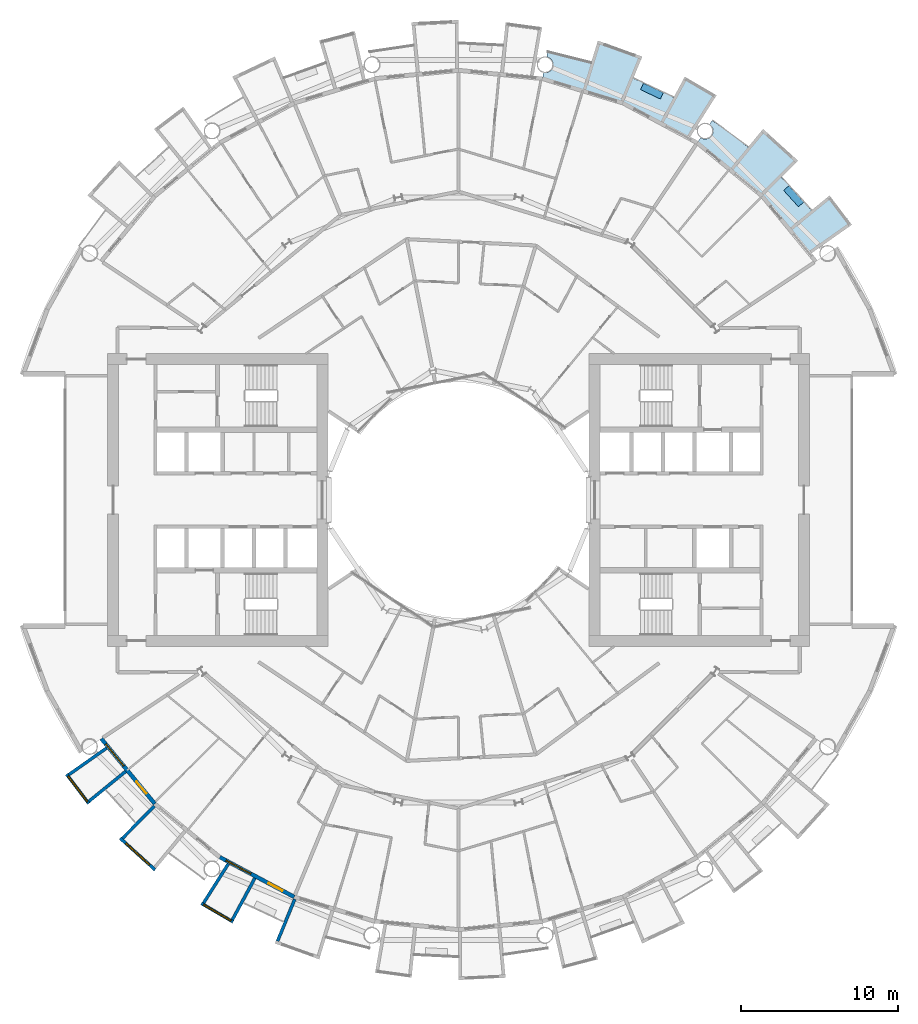
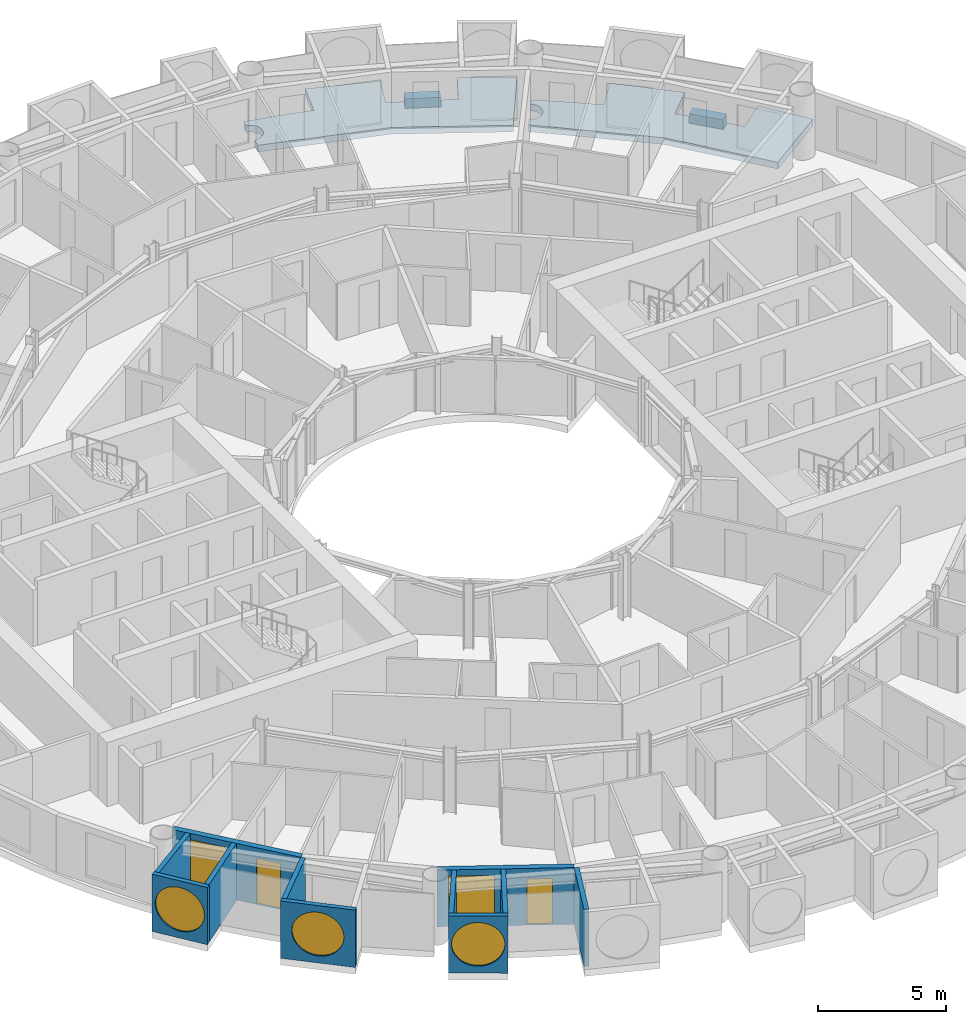
# One storey, part 12 of 26: 11 walls, 5 windows, 4 slabs, 2 doors, 7 openings.
"""IFC4 building model written with IfcOpenShell, lengths in metres."""

from ifc_helpers import new_model, si_unit, direction, frame, frame_2d, origin, place, context, subcontext, project, spatial, polyline, rectangle, circle, outline, extrude, material, layer, layer_set, type_object, element, fill, save


model = new_model("IFC4")

# Units and contexts
model_context = context("Model", 3, precision=1e-05, world=origin(), true_north=direction((0.0, 1.0)))
body_context = subcontext(model_context, "Body", "Model", "MODEL_VIEW")
ifc_project = project(units=[si_unit("LENGTHUNIT", "METRE"), si_unit("AREAUNIT", "SQUARE_METRE"), si_unit("VOLUMEUNIT", "CUBIC_METRE"), si_unit("PLANEANGLEUNIT", "RADIAN"), si_unit("MASSUNIT", "GRAM", prefix="KILO")], contexts=[model_context])

# Site, building, storey
site_placement = place(None, origin())
site = spatial("IfcSite", under=ifc_project, at=site_placement, CompositionType="ELEMENT")
building_placement = place(site_placement, origin())
building = spatial("IfcBuilding", under=site, at=building_placement, Name="Maasbend Ring Residences", CompositionType="ELEMENT")
storey_placement = place(building_placement, frame((0.0, 0.0, 91.050048828125)))
storey = spatial("IfcBuildingStorey", under=building, at=storey_placement, Name="L26", CompositionType="ELEMENT", Elevation=91.050048828125)

# Slabs
ifc_material_1 = material(Name="Planting with climbing greenery")
ifc_layer_1 = layer(ifc_material_1, 0.449951171875)
ifc_layer_set_1 = layer_set([ifc_layer_1], Name="PLANTER-LG")
slab_type_1 = type_object("IfcSlabType", Name="PLANTER-LG", PredefinedType="USERDEFINED", material=ifc_layer_set_1)
slab_1_placement = place(storey_placement, frame((0.0, 0.0, -0.030029296875)))
element("IfcSlab", 1, at=slab_1_placement, inside=storey, type_object=slab_type_1, Name="Planter with climbing greenery 1", ObjectType="PLANTER", PredefinedType="USERDEFINED", context=body_context, shape_type="SweptSolid", body=[
    extrude(outline(polyline([(21.931884765625, 18.93310546875), (20.991943359375, 19.969970703125), (20.657958984375, 19.66796875), (21.597900390625, 18.631103515625), (21.931884765625, 18.93310546875)])), origin(), (0.0, 0.0, 1.0), 0.449951171875),
])
slab_2_placement = place(storey_placement, frame((0.0, 0.0, -0.030029296875)))
element("IfcSlab", 2, at=slab_2_placement, inside=storey, type_object=slab_type_1, Name="Planter with climbing greenery 2", ObjectType="PLANTER", PredefinedType="USERDEFINED", context=body_context, shape_type="SweptSolid", body=[
    extrude(outline(polyline([(13.01708984375, 25.885009765625), (11.7509765625, 26.48291015625), (11.55908203125, 26.076904296875), (12.824951171875, 25.47802734375), (13.01708984375, 25.885009765625)])), origin(), (0.0, 0.0, 1.0), 0.449951171875),
])
ifc_material_2 = material(Name="Concrete C40/50", Category="concrete")
ifc_layer_2 = layer(ifc_material_2, 0.199951171875)
ifc_layer_set_2 = layer_set([ifc_layer_2], Name="Concrete C40/50")
slab_type_2 = type_object("IfcSlabType", Name="SL-LOGGIA", PredefinedType="FLOOR", material=ifc_layer_set_2)
slab_3_placement = place(storey_placement, frame((0.0, 0.0, -0.35009765625)))
element("IfcSlab", 3, at=slab_3_placement, inside=storey, type_object=slab_type_2, Name="Loggia floor 2", PredefinedType="FLOOR", context=body_context, shape_type="SweptSolid", body=[
    extrude(outline(polyline([(5.43896484375, 27.154052734375), (5.451904296875, 27.153076171875), (5.464111328125, 27.15087890625), (5.47705078125, 27.15087890625), (5.489013671875, 27.14990234375), (5.501953125, 27.14990234375), (5.513916015625, 27.14990234375), (5.52587890625, 27.15087890625), (5.5390625, 27.15087890625), (5.551025390625, 27.153076171875), (5.56396484375, 27.154052734375), (5.575927734375, 27.156005859375), (5.587890625, 27.157958984375), (5.60107421875, 27.159912109375), (5.613037109375, 27.162109375), (5.625, 27.1650390625), (5.636962890625, 27.1689453125), (5.64892578125, 27.172119140625), (5.660888671875, 27.176025390625), (5.673095703125, 27.179931640625), (5.68408203125, 27.18408203125), (5.696044921875, 27.18896484375), (5.70703125, 27.194091796875), (5.718994140625, 27.198974609375), (5.72998046875, 27.2041015625), (5.740966796875, 27.2099609375), (5.751953125, 27.216064453125), (5.762939453125, 27.221923828125), (5.77294921875, 27.22900390625), (5.783935546875, 27.236083984375), (5.7939453125, 27.242919921875), (5.803955078125, 27.25), (5.81396484375, 27.258056640625), (5.823974609375, 27.264892578125), (5.8330078125, 27.27294921875), (5.843017578125, 27.281982421875), (5.85205078125, 27.2900390625), (5.861083984375, 27.299072265625), (5.868896484375, 27.30810546875), (5.8779296875, 27.31689453125), (5.885986328125, 27.325927734375), (5.89404296875, 27.3359375), (5.902099609375, 27.345947265625), (5.909912109375, 27.35498046875), (5.9169921875, 27.365966796875), (5.924072265625, 27.3759765625), (5.930908203125, 27.385986328125), (5.93701171875, 27.39697265625), (5.944091796875, 27.407958984375), (5.949951171875, 27.4189453125), (5.955078125, 27.429931640625), (5.9609375, 27.44091796875), (5.966064453125, 27.451904296875), (5.970947265625, 27.464111328125), (5.97509765625, 27.47509765625), (5.97998046875, 27.487060546875), (5.98388671875, 27.4990234375), (5.988037109375, 27.510986328125), (5.990966796875, 27.52294921875), (5.993896484375, 27.534912109375), (5.9970703125, 27.547119140625), (6.0, 27.55908203125), (6.001953125, 27.571044921875), (6.00390625, 27.583984375), (6.006103515625, 27.595947265625), (6.007080078125, 27.60791015625), (6.008056640625, 27.62109375), (6.009033203125, 27.633056640625), (6.009033203125, 27.64599609375), (6.010009765625, 27.657958984375), (6.009033203125, 27.6708984375), (6.009033203125, 27.68310546875), (6.008056640625, 27.695068359375), (6.007080078125, 27.7080078125), (6.006103515625, 27.719970703125), (6.00390625, 27.73291015625), (6.001953125, 27.7451171875), (6.0, 27.757080078125), (5.9970703125, 27.76904296875), (5.993896484375, 27.781982421875), (5.990966796875, 27.7939453125), (5.988037109375, 27.805908203125), (5.98388671875, 27.81689453125), (5.97998046875, 27.8291015625), (5.97509765625, 27.841064453125), (5.970947265625, 27.85302734375), (5.966064453125, 27.864013671875), (5.9609375, 27.875), (5.955078125, 27.886962890625), (5.949951171875, 27.89794921875), (5.944091796875, 27.907958984375), (5.93701171875, 27.9189453125), (5.930908203125, 27.929931640625), (5.924072265625, 27.93994140625), (5.9169921875, 27.950927734375), (5.909912109375, 27.9609375), (5.902099609375, 27.970947265625), (5.89404296875, 27.97998046875), (5.885986328125, 27.989990234375), (5.8779296875, 27.9990234375), (5.868896484375, 28.008056640625), (5.861083984375, 28.01708984375), (5.85205078125, 28.02587890625), (5.843017578125, 28.034912109375), (5.8330078125, 28.04296875), (5.823974609375, 28.051025390625), (5.81396484375, 28.05908203125), (5.803955078125, 28.06591796875), (5.7939453125, 28.072998046875), (5.783935546875, 28.080078125), (5.77294921875, 28.0869140625), (5.762939453125, 28.093994140625), (5.751953125, 28.10009765625), (5.740966796875, 28.10595703125), (5.72998046875, 28.112060546875), (5.718994140625, 28.116943359375), (5.70703125, 28.123046875), (5.696044921875, 28.126953125), (5.68408203125, 28.132080078125), (5.673095703125, 28.135986328125), (5.660888671875, 28.139892578125), (5.64892578125, 28.14404296875), (5.636962890625, 28.14794921875), (5.625, 28.15087890625), (5.613037109375, 28.154052734375), (5.60107421875, 28.156005859375), (5.657958984375, 28.443115234375), (5.657958984375, 28.443115234375), (5.657958984375, 28.443115234375), (6.5849609375, 28.241943359375), (6.5849609375, 28.241943359375), (7.506103515625, 28.011962890625), (7.506103515625, 28.011962890625), (8.41796875, 27.7509765625), (8.41796875, 27.7509765625), (8.41796875, 27.7509765625), (8.41796875, 27.7509765625), (8.41796875, 27.7509765625), (8.41796875, 27.7509765625), (8.41796875, 27.7509765625), (8.41796875, 27.7509765625), (8.41796875, 27.7509765625), (8.41796875, 27.7509765625), (8.41796875, 27.751953125), (8.41796875, 27.751953125), (8.41796875, 27.751953125), (8.41796875, 27.751953125), (8.41796875, 27.751953125), (8.41796875, 27.751953125), (8.41796875, 27.751953125), (8.85400390625, 29.18701171875), (8.85400390625, 29.18701171875), (8.85400390625, 29.18701171875), (11.672119140625, 28.177978515625), (11.672119140625, 28.177978515625), (11.672119140625, 28.177978515625), (11.097900390625, 26.79296875), (11.097900390625, 26.79296875), (11.097900390625, 26.79296875), (11.097900390625, 26.79296875), (11.097900390625, 26.79296875), (11.097900390625, 26.79296875), (11.097900390625, 26.79296875), (11.097900390625, 26.79296875), (11.097900390625, 26.79296875), (11.097900390625, 26.79296875), (11.097900390625, 26.7919921875), (11.097900390625, 26.7919921875), (11.097900390625, 26.7919921875), (11.097900390625, 26.7919921875), (11.097900390625, 26.7919921875), (11.097900390625, 26.7919921875), (11.097900390625, 26.7919921875), (11.968994140625, 26.4150390625), (11.968994140625, 26.4150390625), (12.825927734375, 26.009033203125), (12.825927734375, 26.009033203125), (13.669921875, 25.575927734375), (13.669921875, 25.575927734375), (13.669921875, 25.575927734375), (13.669921875, 25.575927734375), (13.669921875, 25.575927734375), (13.669921875, 25.575927734375), (13.669921875, 25.575927734375), (13.669921875, 25.575927734375), (13.669921875, 25.575927734375), (13.669921875, 25.575927734375), (13.6708984375, 25.575927734375), (13.6708984375, 25.575927734375), (13.6708984375, 25.575927734375), (13.6708984375, 25.575927734375), (13.6708984375, 25.575927734375), (13.6708984375, 25.575927734375), (13.6708984375, 25.575927734375), (14.3779296875, 26.89892578125), (14.3779296875, 26.89892578125), (14.3779296875, 26.89892578125), (16.39404296875, 25.718994140625), (16.39404296875, 25.718994140625), (16.39404296875, 25.718994140625), (14.64599609375, 22.97705078125), (14.64599609375, 22.97705078125), (14.64599609375, 22.97705078125), (12.806884765625, 23.9609375), (10.447021484375, 25.221923828125), (10.447021484375, 25.221923828125), (10.447021484375, 25.221923828125), (7.886962890625, 25.9990234375), (5.325927734375, 26.77490234375), (5.325927734375, 26.77490234375), (5.325927734375, 26.77490234375), (5.402099609375, 27.159912109375), (5.4150390625, 27.157958984375), (5.427001953125, 27.156005859375), (5.43896484375, 27.154052734375)])), origin(), (0.0, 0.0, 1.0), 0.320068359375),
])
slab_4_placement = place(storey_placement, frame((0.0, 0.0, -0.35009765625)))
element("IfcSlab", 4, at=slab_4_placement, inside=storey, type_object=slab_type_2, Name="Loggia floor 4", PredefinedType="FLOOR", context=body_context, shape_type="SweptSolid", body=[
    extrude(outline(polyline([(15.406005859375, 23.011962890625), (15.4169921875, 23.0048828125), (15.427978515625, 22.9990234375), (15.43896484375, 22.993896484375), (15.449951171875, 22.988037109375), (15.4609375, 22.98291015625), (15.472900390625, 22.97802734375), (15.48388671875, 22.972900390625), (15.49609375, 22.968994140625), (15.508056640625, 22.965087890625), (15.52001953125, 22.9609375), (15.531982421875, 22.9580078125), (15.5439453125, 22.955078125), (15.555908203125, 22.951904296875), (15.568115234375, 22.948974609375), (15.580078125, 22.947021484375), (15.593017578125, 22.945068359375), (15.60498046875, 22.943115234375), (15.616943359375, 22.94189453125), (15.6298828125, 22.94091796875), (15.64208984375, 22.93994140625), (15.655029296875, 22.93994140625), (15.6669921875, 22.93896484375), (15.679931640625, 22.93994140625), (15.69189453125, 22.93994140625), (15.7041015625, 22.94091796875), (15.717041015625, 22.94189453125), (15.72900390625, 22.943115234375), (15.741943359375, 22.945068359375), (15.75390625, 22.947021484375), (15.76611328125, 22.948974609375), (15.778076171875, 22.951904296875), (15.791015625, 22.955078125), (15.802978515625, 22.9580078125), (15.81494140625, 22.9609375), (15.825927734375, 22.965087890625), (15.837890625, 22.968994140625), (15.85009765625, 22.972900390625), (15.862060546875, 22.97802734375), (15.873046875, 22.98291015625), (15.884033203125, 22.988037109375), (15.89599609375, 22.993896484375), (15.906982421875, 22.9990234375), (15.9169921875, 23.0048828125), (15.927978515625, 23.011962890625), (15.93896484375, 23.01806640625), (15.948974609375, 23.02490234375), (15.9599609375, 23.031982421875), (15.969970703125, 23.0390625), (15.97998046875, 23.047119140625), (15.989013671875, 23.054931640625), (15.9990234375, 23.06298828125), (16.008056640625, 23.071044921875), (16.01708984375, 23.0791015625), (16.02587890625, 23.087890625), (16.034912109375, 23.096923828125), (16.0439453125, 23.10595703125), (16.052001953125, 23.115966796875), (16.06005859375, 23.125), (16.068115234375, 23.135009765625), (16.074951171875, 23.14501953125), (16.08203125, 23.155029296875), (16.089111328125, 23.1650390625), (16.095947265625, 23.176025390625), (16.10302734375, 23.18603515625), (16.10888671875, 23.197021484375), (16.114990234375, 23.2080078125), (16.12109375, 23.218994140625), (16.1259765625, 23.22998046875), (16.132080078125, 23.241943359375), (16.135986328125, 23.2529296875), (16.14111328125, 23.264892578125), (16.14501953125, 23.27587890625), (16.14892578125, 23.2880859375), (16.153076171875, 23.300048828125), (16.156982421875, 23.31201171875), (16.159912109375, 23.323974609375), (16.1630859375, 23.3359375), (16.1650390625, 23.347900390625), (16.16796875, 23.361083984375), (16.169921875, 23.373046875), (16.1708984375, 23.385009765625), (16.173095703125, 23.39794921875), (16.174072265625, 23.409912109375), (16.174072265625, 23.422119140625), (16.175048828125, 23.43505859375), (16.175048828125, 23.447021484375), (16.175048828125, 23.4599609375), (16.174072265625, 23.471923828125), (16.174072265625, 23.485107421875), (16.173095703125, 23.4970703125), (16.1708984375, 23.510009765625), (16.169921875, 23.52197265625), (16.16796875, 23.533935546875), (16.1650390625, 23.547119140625), (16.1630859375, 23.55908203125), (16.159912109375, 23.571044921875), (16.156982421875, 23.5830078125), (16.153076171875, 23.594970703125), (16.14892578125, 23.60693359375), (16.14501953125, 23.618896484375), (16.14111328125, 23.6298828125), (16.135986328125, 23.64208984375), (16.132080078125, 23.653076171875), (16.1259765625, 23.6650390625), (16.12109375, 23.676025390625), (16.114990234375, 23.68701171875), (16.10888671875, 23.697998046875), (16.10302734375, 23.708984375), (16.095947265625, 23.718994140625), (16.089111328125, 23.72998046875), (16.08203125, 23.739990234375), (16.074951171875, 23.75), (16.068115234375, 23.760009765625), (16.06005859375, 23.77001953125), (16.052001953125, 23.779052734375), (16.0439453125, 23.7890625), (16.034912109375, 23.798095703125), (16.02587890625, 23.806884765625), (16.01708984375, 23.81494140625), (16.008056640625, 23.823974609375), (15.9990234375, 23.83203125), (15.989013671875, 23.840087890625), (15.97998046875, 23.847900390625), (15.969970703125, 23.85498046875), (15.9599609375, 23.863037109375), (15.948974609375, 23.8701171875), (15.948974609375, 23.8701171875), (16.112060546875, 24.113037109375), (16.112060546875, 24.113037109375), (16.112060546875, 24.113037109375), (16.89208984375, 23.572998046875), (16.89208984375, 23.572998046875), (17.654052734375, 23.007080078125), (17.654052734375, 23.007080078125), (18.39697265625, 22.41796875), (18.39697265625, 22.41796875), (18.39697265625, 22.41796875), (18.39697265625, 22.41796875), (18.39697265625, 22.41796875), (18.39697265625, 22.41796875), (18.39697265625, 22.41796875), (18.39697265625, 22.41796875), (18.39697265625, 22.41796875), (18.39697265625, 22.41796875), (18.39697265625, 22.41796875), (18.39794921875, 22.41796875), (18.39794921875, 22.41796875), (18.39794921875, 22.41796875), (18.39794921875, 22.41796875), (18.39794921875, 22.41796875), (18.39794921875, 22.41796875), (19.34912109375, 23.576904296875), (19.34912109375, 23.576904296875), (19.34912109375, 23.576904296875), (21.56689453125, 21.56689453125), (21.56689453125, 21.56689453125), (21.56689453125, 21.56689453125), (20.506103515625, 20.506103515625), (20.506103515625, 20.506103515625), (20.506103515625, 20.506103515625), (20.506103515625, 20.506103515625), (20.506103515625, 20.506103515625), (20.506103515625, 20.506103515625), (20.506103515625, 20.506103515625), (20.506103515625, 20.506103515625), (20.506103515625, 20.506103515625), (20.506103515625, 20.506103515625), (20.506103515625, 20.506103515625), (20.506103515625, 20.506103515625), (20.506103515625, 20.506103515625), (20.506103515625, 20.506103515625), (20.506103515625, 20.506103515625), (20.506103515625, 20.506103515625), (20.506103515625, 20.506103515625), (21.166015625, 19.823974609375), (21.166015625, 19.823974609375), (21.802978515625, 19.12109375), (21.802978515625, 19.12109375), (22.4169921875, 18.39794921875), (22.4169921875, 18.39794921875), (22.4169921875, 18.39794921875), (22.4169921875, 18.39794921875), (22.4169921875, 18.39794921875), (22.4169921875, 18.39794921875), (22.4169921875, 18.39794921875), (22.4169921875, 18.39794921875), (22.4169921875, 18.39794921875), (22.4169921875, 18.39794921875), (22.4169921875, 18.39794921875), (22.4169921875, 18.39794921875), (22.41796875, 18.39794921875), (22.41796875, 18.39794921875), (22.41796875, 18.39794921875), (22.41796875, 18.39794921875), (22.41796875, 18.39794921875), (23.576904296875, 19.34912109375), (23.576904296875, 19.34912109375), (23.576904296875, 19.34912109375), (24.989013671875, 17.488037109375), (24.989013671875, 17.488037109375), (24.989013671875, 17.488037109375), (22.324951171875, 15.623046875), (22.324951171875, 15.623046875), (22.324951171875, 15.623046875), (21.001953125, 17.236083984375), (19.303955078125, 19.303955078125), (19.303955078125, 19.303955078125), (19.303955078125, 19.303955078125), (17.236083984375, 21.001953125), (15.1669921875, 22.698974609375), (15.1669921875, 22.698974609375), (15.1669921875, 22.698974609375), (15.385009765625, 23.02490234375), (15.385009765625, 23.02490234375), (15.39501953125, 23.01806640625), (15.406005859375, 23.011962890625)])), origin(), (0.0, 0.0, 1.0), 0.320068359375),
])

# Wall, opening, window
ifc_material_3 = material(Name="Pale anodised aluminium panel", Category="aluminium")
ifc_layer_3 = layer(ifc_material_3, 0.199951171875)
ifc_layer_set_3 = layer_set([ifc_layer_3], Name="EW-BOX")
wall_type_1 = type_object("IfcWallType", Name="EW-BOX", PredefinedType="SOLIDWALL", material=ifc_layer_set_3)
wall_1_placement = place(storey_placement, frame((-24.908935546875, -17.427001953125, -0.030029296875), z_axis=(0.0, 0.0, 1.0), x_axis=(0.60418752353, -0.796842165306, 0.0)))
wall_1 = element("IfcWall", 5, at=wall_1_placement, inside=storey, type_object=wall_type_1, Name="Box front S01", PredefinedType="SOLIDWALL", context=body_context, shape_type="SweptSolid", body=[
    extrude(rectangle(XDim=2.3369140625, YDim=0.199951171875, at=frame_2d((1.16845703125, 0.0))), origin(), (0.0, 0.0, 1.0), 2.72998046875),
])
opening_1_placement = place(wall_1_placement, frame((0.128173828125, 0.0, 0.330078125)))
opening_1 = element("IfcOpeningElement", 6, at=opening_1_placement, cuts=wall_1, Name="Opening W-RD", PredefinedType="OPENING", context=body_context, shape_type="SweptSolid", body=[
    extrude(circle(Radius=1.0400390625, at=frame_2d((1.0400390625, 1.0400390625))), frame((0.0, 0.10986328125, 0.0), z_axis=(0.0, -1.0, 0.0), x_axis=(1.0, 0.0, 0.0)), (0.0, 0.0, 1.0), 0.219970703125),
])
ifc_material_4 = material(Name="Aluminium and clear glass", Category="aluminium")
window_type_1 = type_object("IfcWindowType", Name="W-RD", PartitioningType="SINGLE_PANEL", PredefinedType="WINDOW", material=ifc_material_4)
window_1_placement = place(opening_1_placement, origin())
window_1 = element("IfcWindow", 7, at=window_1_placement, inside=storey, type_object=window_type_1, Name="Round window S01", OverallHeight=2.080078125, OverallWidth=2.080078125, PartitioningType="SINGLE_PANEL", PredefinedType="WINDOW", context=body_context, shape_type="SweptSolid", body=[
    extrude(circle(Radius=1.0400390625, at=frame_2d((1.0400390625, 1.0400390625))), frame((0.0, 0.030029296875, 0.0), z_axis=(0.0, -1.0, 0.0), x_axis=(1.0, 0.0, 0.0)), (0.0, 0.0, 1.0), 0.06005859375),
])
fill(opening_1, window_1)

# Walls
wall_2_placement = place(storey_placement, frame((-22.3701171875, -15.764892578125, -0.030029296875), z_axis=(0.0, 0.0, 1.0), x_axis=(-0.817256123454, -0.576274612209, 0.0)))
element("IfcWall", 8, at=wall_2_placement, inside=storey, type_object=wall_type_1, Name="Box side wall S01 left", PredefinedType="SOLIDWALL", context=body_context, shape_type="SweptSolid", body=[
    extrude(rectangle(XDim=2.932861328125, YDim=0.199951171875, at=frame_2d((1.46630859375, 0.0))), origin(), (0.0, 0.0, 1.0), 2.72998046875),
])
wall_3_placement = place(storey_placement, frame((-21.155029296875, -17.24609375, -0.030029296875), z_axis=(0.0, 0.0, 1.0), x_axis=(-0.775179004516, -0.631741648902, 0.0)))
element("IfcWall", 9, at=wall_3_placement, inside=storey, type_object=wall_type_1, Name="Box side wall S01 right", PredefinedType="SOLIDWALL", context=body_context, shape_type="SweptSolid", body=[
    extrude(rectangle(XDim=3.005859375, YDim=0.199951171875, at=frame_2d((1.5029296875, 0.0))), origin(), (0.0, 0.0, 1.0), 2.72998046875),
])

# Wall, opening, window
wall_4_placement = place(storey_placement, frame((-21.5, -21.492919921875, -0.030029296875), z_axis=(0.0, 0.0, 1.0), x_axis=(0.740998365753, -0.671506829416, 0.0)))
wall_4 = element("IfcWall", 10, at=wall_4_placement, inside=storey, type_object=wall_type_1, Name="Box front S03", PredefinedType="SOLIDWALL", context=body_context, shape_type="SweptSolid", body=[
    extrude(rectangle(XDim=2.9931640625, YDim=0.199951171875, at=frame_2d((1.49658203125, 0.0))), origin(), (0.0, 0.0, 1.0), 2.72998046875),
])
opening_2_placement = place(wall_4_placement, frame((0.45654296875, 0.0, 0.330078125)))
opening_2 = element("IfcOpeningElement", 11, at=opening_2_placement, cuts=wall_4, Name="Opening W-RD", PredefinedType="OPENING", context=body_context, shape_type="SweptSolid", body=[
    extrude(circle(Radius=1.0400390625, at=frame_2d((1.0400390625, 1.0400390625))), frame((0.0, 0.10986328125, 0.0), z_axis=(0.0, -1.0, 0.0), x_axis=(1.0, 0.0, 0.0)), (0.0, 0.0, 1.0), 0.219970703125),
])
window_2_placement = place(opening_2_placement, origin())
window_2 = element("IfcWindow", 12, at=window_2_placement, inside=storey, type_object=window_type_1, Name="Round window S03", OverallHeight=2.080078125, OverallWidth=2.080078125, PartitioningType="SINGLE_PANEL", PredefinedType="WINDOW", context=body_context, shape_type="SweptSolid", body=[
    extrude(circle(Radius=1.0400390625, at=frame_2d((1.0400390625, 1.0400390625))), frame((0.0, 0.030029296875, 0.0), z_axis=(0.0, -1.0, 0.0), x_axis=(1.0, 0.0, 0.0)), (0.0, 0.0, 1.0), 0.06005859375),
])
fill(opening_2, window_2)

# Wall
wall_5_placement = place(storey_placement, frame((-19.322998046875, -19.449951171875, -0.030029296875), z_axis=(0.0, 0.0, 1.0), x_axis=(-0.704476739375, -0.709727076896, 0.0)))
element("IfcWall", 13, at=wall_5_placement, inside=storey, type_object=wall_type_1, Name="Box side wall S03 left", PredefinedType="SOLIDWALL", context=body_context, shape_type="SweptSolid", body=[
    extrude(rectangle(XDim=2.883056640625, YDim=0.199951171875, at=frame_2d((1.44140625, 0.0))), origin(), (0.0, 0.0, 1.0), 2.72998046875),
])

# Wall, opening, window
wall_6_placement = place(storey_placement, frame((-16.343994140625, -25.633056640625, -0.030029296875), z_axis=(0.0, 0.0, 1.0), x_axis=(0.863346521872, -0.504611517081, 0.0)))
wall_6 = element("IfcWall", 14, at=wall_6_placement, inside=storey, type_object=wall_type_1, Name="Box front S05", PredefinedType="SOLIDWALL", context=body_context, shape_type="SweptSolid", body=[
    extrude(rectangle(XDim=2.33642578125, YDim=0.199951171875, at=frame_2d((1.168212890625, 0.0))), origin(), (0.0, 0.0, 1.0), 2.72998046875),
])
opening_3_placement = place(wall_6_placement, frame((0.128173828125, 0.0, 0.330078125)))
opening_3 = element("IfcOpeningElement", 15, at=opening_3_placement, cuts=wall_6, Name="Opening W-RD", PredefinedType="OPENING", context=body_context, shape_type="SweptSolid", body=[
    extrude(circle(Radius=1.0400390625, at=frame_2d((1.0400390625, 1.0400390625))), frame((0.0, 0.10986328125, 0.0), z_axis=(0.0, -1.0, 0.0), x_axis=(1.0, 0.0, 0.0)), (0.0, 0.0, 1.0), 0.219970703125),
])
window_3_placement = place(opening_3_placement, origin())
window_3 = element("IfcWindow", 16, at=window_3_placement, inside=storey, type_object=window_type_1, Name="Round window S05", OverallHeight=2.080078125, OverallWidth=2.080078125, PartitioningType="SINGLE_PANEL", PredefinedType="WINDOW", context=body_context, shape_type="SweptSolid", body=[
    extrude(circle(Radius=1.0400390625, at=frame_2d((1.0400390625, 1.0400390625))), frame((0.0, 0.030029296875, 0.0), z_axis=(0.0, -1.0, 0.0), x_axis=(1.0, 0.0, 0.0)), (0.0, 0.0, 1.0), 0.06005859375),
])
fill(opening_3, window_3)

# Walls
wall_7_placement = place(storey_placement, frame((-14.635009765625, -23.1259765625, -0.030029296875), z_axis=(0.0, 0.0, 1.0), x_axis=(-0.534437802731, -0.845207805816, 0.0)))
element("IfcWall", 17, at=wall_7_placement, inside=storey, type_object=wall_type_1, Name="Box side wall S05 left", PredefinedType="SOLIDWALL", context=body_context, shape_type="SweptSolid", body=[
    extrude(rectangle(XDim=2.931884765625, YDim=0.199951171875, at=frame_2d((1.4658203125, 0.0))), origin(), (0.0, 0.0, 1.0), 2.72998046875),
])
wall_8_placement = place(storey_placement, frame((-12.945068359375, -24.029052734375, -0.030029296875), z_axis=(0.0, 0.0, 1.0), x_axis=(-0.474424310775, -0.88029629861, 0.0)))
element("IfcWall", 18, at=wall_8_placement, inside=storey, type_object=wall_type_1, Name="Box side wall S05 right", PredefinedType="SOLIDWALL", context=body_context, shape_type="SweptSolid", body=[
    extrude(rectangle(XDim=3.005859375, YDim=0.199951171875, at=frame_2d((1.5029296875, 0.0))), origin(), (0.0, 0.0, 1.0), 2.72998046875),
])
wall_9_placement = place(storey_placement, frame((-10.408935546875, -25.364013671875, -0.030029296875), z_axis=(0.0, 0.0, 1.0), x_axis=(-0.379509886562, -0.925187681501, 0.0)))
element("IfcWall", 19, at=wall_9_placement, inside=storey, type_object=wall_type_1, Name="Box side wall S07 left", PredefinedType="SOLIDWALL", context=body_context, shape_type="SweptSolid", body=[
    extrude(rectangle(XDim=2.882568359375, YDim=0.199951171875, at=frame_2d((1.44140625, 0.0))), origin(), (0.0, 0.0, 1.0), 2.72998046875),
])

# Wall, openings, door, window
ifc_material_5 = material(Name="Aluminium clad insulated panel", Category="aluminium")
ifc_layer_4 = layer(ifc_material_5, 0.25)
ifc_layer_set_4 = layer_set([ifc_layer_4], Name="EW-GL")
wall_type_2 = type_object("IfcWallType", Name="EW-GL", PredefinedType="SOLIDWALL", material=ifc_layer_set_4)
wall_10_placement = place(storey_placement, frame((-22.698974609375, -15.1669921875, 0.0), z_axis=(0.0, 0.0, 1.0), x_axis=(0.634382322723, -0.773019449054, 0.0)))
wall_10 = element("IfcWall", 20, at=wall_10_placement, inside=storey, type_object=wall_type_2, Name="External wall S01", PredefinedType="SOLIDWALL", context=body_context, shape_type="SweptSolid", body=[
    extrude(rectangle(XDim=5.351806640625, YDim=0.25, at=frame_2d((2.67578125, 0.0))), origin(), (0.0, 0.0, 1.0), 2.699951171875),
])
opening_4_placement = place(wall_10_placement, frame((0.441162109375, 0.0, 0.300048828125)))
opening_4 = element("IfcOpeningElement", 21, at=opening_4_placement, cuts=wall_10, Name="Opening W-BX", PredefinedType="OPENING", context=body_context, shape_type="SweptSolid", body=[
    extrude(rectangle(XDim=1.800048828125, YDim=2.10009765625, at=frame_2d((0.89990234375, 1.050048828125))), frame((0.0, 0.135009765625, 0.0), z_axis=(0.0, -1.0, 0.0), x_axis=(1.0, 0.0, 0.0)), (0.0, 0.0, 1.0), 0.27001953125),
])
opening_5_placement = place(wall_10_placement, frame((3.510498046875, 0.0, 0.0)))
opening_5 = element("IfcOpeningElement", 22, at=opening_5_placement, cuts=wall_10, Name="Opening D-LG", PredefinedType="OPENING", context=body_context, shape_type="SweptSolid", body=[
    extrude(rectangle(XDim=1.0, YDim=2.199951171875, at=frame_2d((0.5, 1.10009765625))), frame((0.0, 0.135009765625, 0.0), z_axis=(0.0, -1.0, 0.0), x_axis=(1.0, 0.0, 0.0)), (0.0, 0.0, 1.0), 0.27001953125),
])
ifc_material_6 = material(Name="Aluminium and clear glass", Category="aluminium")
door_type = type_object("IfcDoorType", Name="D-LG", OperationType="SINGLE_SWING_LEFT", PredefinedType="DOOR", material=ifc_material_6)
door_1_placement = place(opening_5_placement, origin())
door_1 = element("IfcDoor", 23, at=door_1_placement, inside=storey, type_object=door_type, Name="Loggia door S02", OperationType="SINGLE_SWING_LEFT", OverallHeight=2.199951171875, OverallWidth=1.0, PredefinedType="DOOR", context=body_context, shape_type="SweptSolid", body=[
    extrude(rectangle(XDim=1.0, YDim=2.199951171875, at=frame_2d((0.5, 1.10009765625))), frame((0.0, 0.02490234375, 0.0), z_axis=(0.0, -1.0, 0.0), x_axis=(1.0, 0.0, 0.0)), (0.0, 0.0, 1.0), 0.050048828125),
])
fill(opening_5, door_1)
ifc_material_7 = material(Name="Aluminium and clear glass", Category="aluminium")
window_type_2 = type_object("IfcWindowType", Name="W-BX", PartitioningType="DOUBLE_PANEL_VERTICAL", PredefinedType="WINDOW", material=ifc_material_7)
window_4_placement = place(opening_4_placement, origin())
window_4 = element("IfcWindow", 24, at=window_4_placement, inside=storey, type_object=window_type_2, Name="Window S01 room to box", OverallHeight=2.10009765625, OverallWidth=1.800048828125, PartitioningType="SINGLE_PANEL", PredefinedType="WINDOW", context=body_context, shape_type="SweptSolid", body=[
    extrude(rectangle(XDim=1.800048828125, YDim=2.10009765625, at=frame_2d((0.89990234375, 1.050048828125))), frame((0.0, 0.030029296875, 0.0), z_axis=(0.0, -1.0, 0.0), x_axis=(1.0, 0.0, 0.0)), (0.0, 0.0, 1.0), 0.06005859375),
])
fill(opening_4, window_4)

wall_11_placement = place(storey_placement, frame((-15.1669921875, -22.698974609375, 0.0), z_axis=(0.0, 0.0, 1.0), x_axis=(0.881915646801, -0.471407246368, 0.0)))
wall_11 = element("IfcWall", 25, at=wall_11_placement, inside=storey, type_object=wall_type_2, Name="External wall S03", PredefinedType="SOLIDWALL", context=body_context, shape_type="SweptSolid", body=[
    extrude(rectangle(XDim=5.35205078125, YDim=0.25, at=frame_2d((2.676025390625, 0.0))), origin(), (0.0, 0.0, 1.0), 2.699951171875),
])
opening_6_placement = place(wall_11_placement, frame((0.441162109375, 0.0, 0.300048828125)))
opening_6 = element("IfcOpeningElement", 26, at=opening_6_placement, cuts=wall_11, Name="Opening W-BX", PredefinedType="OPENING", context=body_context, shape_type="SweptSolid", body=[
    extrude(rectangle(XDim=1.800048828125, YDim=2.10009765625, at=frame_2d((0.89990234375, 1.050048828125))), frame((0.0, 0.135009765625, 0.0), z_axis=(0.0, -1.0, 0.0), x_axis=(1.0, 0.0, 0.0)), (0.0, 0.0, 1.0), 0.27001953125),
])
opening_7_placement = place(wall_11_placement, frame((3.510498046875, 0.0, 0.0)))
opening_7 = element("IfcOpeningElement", 27, at=opening_7_placement, cuts=wall_11, Name="Opening D-LG", PredefinedType="OPENING", context=body_context, shape_type="SweptSolid", body=[
    extrude(rectangle(XDim=1.0, YDim=2.199951171875, at=frame_2d((0.5, 1.10009765625))), frame((0.0, 0.135009765625, 0.0), z_axis=(0.0, -1.0, 0.0), x_axis=(1.0, 0.0, 0.0)), (0.0, 0.0, 1.0), 0.27001953125),
])
door_2_placement = place(opening_7_placement, origin())
door_2 = element("IfcDoor", 28, at=door_2_placement, inside=storey, type_object=door_type, Name="Loggia door S06", OperationType="SINGLE_SWING_LEFT", OverallHeight=2.199951171875, OverallWidth=1.0, PredefinedType="DOOR", context=body_context, shape_type="SweptSolid", body=[
    extrude(rectangle(XDim=1.0, YDim=2.199951171875, at=frame_2d((0.5, 1.10009765625))), frame((0.0, 0.02490234375, 0.0), z_axis=(0.0, -1.0, 0.0), x_axis=(1.0, 0.0, 0.0)), (0.0, 0.0, 1.0), 0.050048828125),
])
fill(opening_7, door_2)
window_5_placement = place(opening_6_placement, origin())
window_5 = element("IfcWindow", 29, at=window_5_placement, inside=storey, type_object=window_type_2, Name="Window S05 room to box", OverallHeight=2.10009765625, OverallWidth=1.800048828125, PartitioningType="SINGLE_PANEL", PredefinedType="WINDOW", context=body_context, shape_type="SweptSolid", body=[
    extrude(rectangle(XDim=1.800048828125, YDim=2.10009765625, at=frame_2d((0.89990234375, 1.050048828125))), frame((0.0, 0.030029296875, 0.0), z_axis=(0.0, -1.0, 0.0), x_axis=(1.0, 0.0, 0.0)), (0.0, 0.0, 1.0), 0.06005859375),
])
fill(opening_6, window_5)

save(model, "model.ifc")
